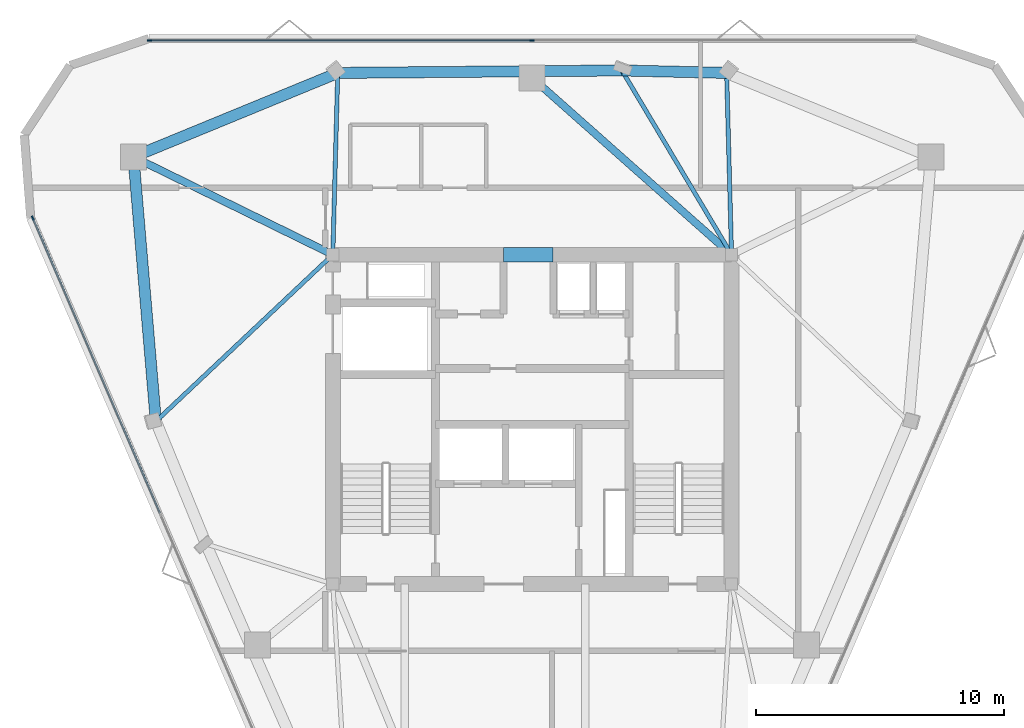
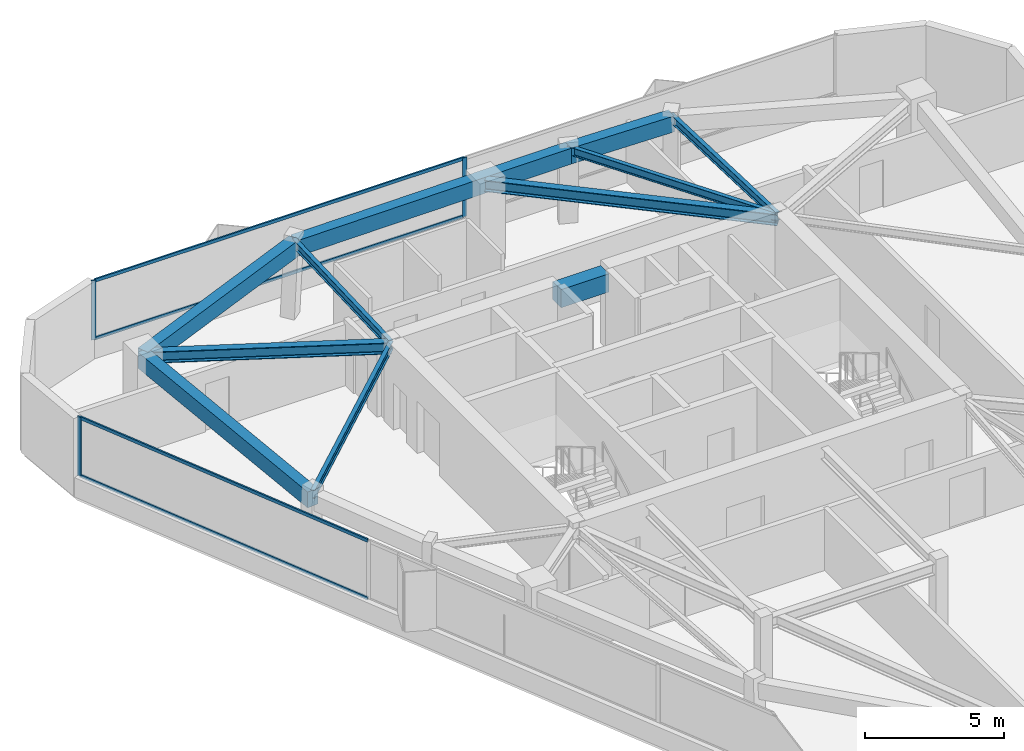
# One storey, part 4 of 9: 11 beams, 7 members, 2 elements without a shape of their own.
"""IFC4 building model written with IfcOpenShell, lengths in metres."""

from ifc_helpers import new_model, si_unit, direction, frame, origin, origin_2d, place, context, subcontext, project, spatial, rectangle, i_section, extrude, material, layer, layer_set, material_profile, profile_set, type_object, element, aggregate, save


model = new_model("IFC4")

# Units and contexts
model_context = context("Model", 3, precision=1e-05, world=origin(), true_north=direction((0.0, 1.0)))
body_context = subcontext(model_context, "Body", "Model", "MODEL_VIEW")
ifc_project = project(units=[si_unit("LENGTHUNIT", "METRE"), si_unit("AREAUNIT", "SQUARE_METRE"), si_unit("VOLUMEUNIT", "CUBIC_METRE"), si_unit("PLANEANGLEUNIT", "RADIAN"), si_unit("MASSUNIT", "GRAM", prefix="KILO")], contexts=[model_context])

# Site, building, storey
site_placement = place(None, origin())
site = spatial("IfcSite", under=ifc_project, at=site_placement, CompositionType="ELEMENT")
building_placement = place(site_placement, origin())
building = spatial("IfcBuilding", under=site, at=building_placement, Name="Talyreon Biosciences Tower", CompositionType="ELEMENT")
storey_placement = place(building_placement, frame((0.0, 0.0, 309.35009765625)))
storey = spatial("IfcBuildingStorey", under=building, at=storey_placement, Name="L82", CompositionType="ELEMENT", Elevation=309.35009765625)

# Curtain wall, member
ifc_material_1 = material(Name="Thermally broken aluminium and low-E glazing", Category="aluminium")
ifc_layer = layer(ifc_material_1, 0.175048828125)
ifc_layer_set = layer_set([ifc_layer], Name="Thermally broken aluminium and low-E glazing")
curtain_wall_type = type_object("IfcCurtainWallType", Name="CurtainWall_Zone5CompLab", PredefinedType="NOTDEFINED", material=ifc_layer_set)
curtain_wall_1_placement = place(storey_placement, origin())
curtain_wall_1 = element("IfcCurtainWall", 1, at=curtain_wall_1_placement, inside=storey, type_object=curtain_wall_type, Name="L82 Unitised Curtain Wall FCW-L82-00", PredefinedType="NOTDEFINED")
ifc_material_2 = material(Name="Anodised thermally broken aluminium", Category="aluminium")
ifc_material_profile_1 = material_profile(ifc_material_2, rectangle(XDim=0.06494140625, YDim=0.179931640625, at=origin_2d()), Name="ALUM MULLION 65x180")
ifc_profile_set_1 = profile_set([ifc_material_profile_1], Name="Anodised thermally broken aluminium")
member_type_1 = type_object("IfcMemberType", Name="CWMullion_65x180", PredefinedType="MULLION", material=ifc_profile_set_1)
member_1_placement = place(storey_placement, frame((45.833984375, 76.12744140625, 0.809814453125), z_axis=(0.0, 0.0, 1.0), x_axis=(-0.918363311246, -0.395738333444, 0.0)))
member_1 = element("IfcMember", 2, at=member_1_placement, type_object=member_type_1, Name="CW6 mullion 4", PredefinedType="MULLION", context=body_context, shape_type="SweptSolid", body=[
    extrude(rectangle(XDim=0.06494140625, YDim=0.179931640625, at=origin_2d()), origin(), (0.0, 0.0, 1.0), 2.60498046875),
])

# Curtain wall, members
curtain_wall_2_placement = place(storey_placement, origin())
curtain_wall_2 = element("IfcCurtainWall", 3, at=curtain_wall_2_placement, inside=storey, type_object=curtain_wall_type, Name="L82 Unitised Curtain Wall FCW-L82-04", PredefinedType="NOTDEFINED")
member_2_placement = place(storey_placement, frame((50.5556640625, 83.303466796875, 0.809814453125), z_axis=(0.0, 0.0, 1.0), x_axis=(0.0, 1.0, 0.0)))
member_2 = element("IfcMember", 4, at=member_2_placement, type_object=member_type_1, Name="CW6 mullion 1", PredefinedType="MULLION", context=body_context, shape_type="SweptSolid", body=[
    extrude(rectangle(XDim=0.06494140625, YDim=0.179931640625, at=origin_2d()), origin(), (0.0, 0.0, 1.0), 2.60498046875),
])
member_3_placement = place(storey_placement, frame((66.0, 83.303466796875, 0.809814453125), z_axis=(0.0, 0.0, 1.0), x_axis=(0.0, 1.0, 0.0)))
member_3 = element("IfcMember", 5, at=member_3_placement, type_object=member_type_1, Name="CW6 mullion 2", PredefinedType="MULLION", context=body_context, shape_type="SweptSolid", body=[
    extrude(rectangle(XDim=0.06494140625, YDim=0.179931640625, at=origin_2d()), origin(), (0.0, 0.0, 1.0), 2.60498046875),
])

# Member
ifc_material_profile_2 = material_profile(ifc_material_2, rectangle(XDim=0.06494140625, YDim=0.139892578125, at=origin_2d()), Name="ALUM TRANSOM 65x140")
ifc_profile_set_2 = profile_set([ifc_material_profile_2], Name="Anodised thermally broken aluminium")
member_type_2 = type_object("IfcMemberType", Name="CWTransom_65x140", PredefinedType="USERDEFINED", material=ifc_profile_set_2)
member_4_placement = place(storey_placement, frame((50.96728515625, 64.215087890625, 0.84228515625), z_axis=(-0.395735791356, 0.918364406671, 0.0), x_axis=(-0.918364406671, -0.395735791356, 0.0)))
member_4 = element("IfcMember", 6, at=member_4_placement, type_object=member_type_2, Name="CW6 transom 3.1", ObjectType="TRANSOM", PredefinedType="USERDEFINED", context=body_context, shape_type="SweptSolid", body=[
    extrude(rectangle(XDim=0.06494140625, YDim=0.139892578125, at=origin_2d()), origin(), (0.0, 0.0, 1.0), 12.938720703125),
])

member_5_placement = place(storey_placement, frame((50.96728515625, 64.215087890625, 3.38232421875), z_axis=(-0.395735791356, 0.918364406671, 0.0), x_axis=(-0.918364406671, -0.395735791356, 0.0)))
member_5 = element("IfcMember", 7, at=member_5_placement, type_object=member_type_2, Name="CW6 transom 3.2", ObjectType="TRANSOM", PredefinedType="USERDEFINED", context=body_context, shape_type="SweptSolid", body=[
    extrude(rectangle(XDim=0.06494140625, YDim=0.139892578125, at=origin_2d()), origin(), (0.0, 0.0, 1.0), 12.938720703125),
])

aggregate(curtain_wall_1, [member_1, member_4, member_5])

member_6_placement = place(storey_placement, frame((50.588134765625, 83.303466796875, 0.84228515625), z_axis=(1.0, 0.0, 0.0), x_axis=(0.0, 1.0, 0.0)))
member_6 = element("IfcMember", 8, at=member_6_placement, type_object=member_type_2, Name="CW6 transom 1.1", ObjectType="TRANSOM", PredefinedType="USERDEFINED", context=body_context, shape_type="SweptSolid", body=[
    extrude(rectangle(XDim=0.06494140625, YDim=0.139892578125, at=origin_2d()), origin(), (0.0, 0.0, 1.0), 15.37939453125),
])

member_7_placement = place(storey_placement, frame((50.588134765625, 83.303466796875, 3.38232421875), z_axis=(1.0, 0.0, 0.0), x_axis=(0.0, 1.0, 0.0)))
member_7 = element("IfcMember", 9, at=member_7_placement, type_object=member_type_2, Name="CW6 transom 1.2", ObjectType="TRANSOM", PredefinedType="USERDEFINED", context=body_context, shape_type="SweptSolid", body=[
    extrude(rectangle(XDim=0.06494140625, YDim=0.139892578125, at=origin_2d()), origin(), (0.0, 0.0, 1.0), 15.37939453125),
])

aggregate(curtain_wall_2, [member_2, member_3, member_6, member_7])

# Beams
ifc_material_3 = material(Name="Concrete C50/60", Category="concrete")
ifc_material_profile_3 = material_profile(ifc_material_3, rectangle(XDim=0.60009765625, YDim=0.800048828125, at=origin_2d()), Name="RCB 600x800")
ifc_profile_set_3 = profile_set([ifc_material_profile_3], Name="Concrete C50/60")
beam_type_1 = type_object("IfcBeamType", Name="CoreCouplingLintel_600x800", PredefinedType="LINTEL", material=ifc_profile_set_3)
beam_1_placement = place(storey_placement, frame((64.85009765625, 74.64990234375, 3.014892578125), z_axis=(1.0, 0.0, 0.0), x_axis=(0.0, 1.0, 0.0)))
element("IfcBeam", 10, at=beam_1_placement, inside=storey, type_object=beam_type_1, Name="L82 Core Coupling Lintel", PredefinedType="LINTEL", context=body_context, shape_type="SweptSolid", body=[
    extrude(rectangle(XDim=0.60009765625, YDim=0.800048828125, at=origin_2d()), origin(), (0.0, 0.0, 1.0), 2.0),
])
ifc_material_4 = material(Name="Precast concrete C45/55", Category="concrete")
ifc_material_profile_4 = material_profile(ifc_material_4, rectangle(XDim=0.449951171875, YDim=0.699951171875, at=origin_2d()), Name="RCB 450x700")
ifc_profile_set_4 = profile_set([ifc_material_profile_4], Name="Precast concrete C45/55")
beam_type_2 = type_object("IfcBeamType", Name="ExpressedSpandrel_450x700", PredefinedType="SPANDREL", material=ifc_profile_set_4)
beam_2_placement = place(storey_placement, frame((73.85205078125, 81.989013671875, 3.06494140625), z_axis=(-0.999721234182, 0.023610462223, 0.0), x_axis=(-0.023610462223, -0.999721234182, 0.0)))
element("IfcBeam", 11, at=beam_2_placement, inside=storey, type_object=beam_type_2, Name="L82 Expressed Horizontal Concrete Spandrel 06", PredefinedType="SPANDREL", context=body_context, shape_type="SweptSolid", body=[
    extrude(rectangle(XDim=0.449951171875, YDim=0.699951171875, at=origin_2d()), origin(), (0.0, 0.0, 1.0), 4.229248046875),
])
beam_3_placement = place(storey_placement, frame((69.6240234375, 82.0888671875, 3.06494140625), z_axis=(-0.999962148302, -0.008700687543, 0.0), x_axis=(0.008700687543, -0.999962148302, 0.0)))
element("IfcBeam", 12, at=beam_3_placement, inside=storey, type_object=beam_type_2, Name="L82 Expressed Horizontal Concrete Spandrel 07", PredefinedType="SPANDREL", context=body_context, shape_type="SweptSolid", body=[
    extrude(rectangle(XDim=0.449951171875, YDim=0.699951171875, at=origin_2d()), origin(), (0.0, 0.0, 1.0), 11.4765625),
])
beam_4_placement = place(storey_placement, frame((58.14794921875, 81.989013671875, 3.06494140625), z_axis=(-0.924945424945, -0.380099935377, 0.0), x_axis=(0.380099935377, -0.924945424945, 0.0)))
element("IfcBeam", 13, at=beam_4_placement, inside=storey, type_object=beam_type_2, Name="L82 Expressed Horizontal Concrete Spandrel 08", PredefinedType="SPANDREL", context=body_context, shape_type="SweptSolid", body=[
    extrude(rectangle(XDim=0.449951171875, YDim=0.699951171875, at=origin_2d()), origin(), (0.0, 0.0, 1.0), 8.919677734375),
])
beam_5_placement = place(storey_placement, frame((49.897705078125, 78.5986328125, 3.06494140625), z_axis=(0.084585687461, -0.996416208959, 0.0), x_axis=(0.996416208959, 0.084585687461, 0.0)))
element("IfcBeam", 14, at=beam_5_placement, inside=storey, type_object=beam_type_2, Name="L82 Expressed Horizontal Concrete Spandrel 09", PredefinedType="SPANDREL", context=body_context, shape_type="SweptSolid", body=[
    extrude(rectangle(XDim=0.449951171875, YDim=0.699951171875, at=origin_2d()), origin(), (0.0, 0.0, 1.0), 10.716796875),
])
ifc_material_5 = material(Name="Steel SM355", Category="steel")
ifc_material_profile_5 = material_profile(ifc_material_5, i_section(OverallWidth=0.300048828125, OverallDepth=0.5, WebThickness=0.014404296875, FlangeThickness=0.028076171875, FilletRadius=0.027099609375, at=origin_2d()), Name="HE500B")
ifc_profile_set_5 = profile_set([ifc_material_profile_5], Name="Steel SM355")
beam_type_3 = type_object("IfcBeamType", Name="SteelBeam_HE500B", PredefinedType="BEAM", material=ifc_profile_set_5)
beam_6_placement = place(storey_placement, frame((74.050048828125, 74.64990234375, 3.164794921875), z_axis=(-0.748178733955, 0.663497235908, 0.0), x_axis=(-0.663497235908, -0.748178733955, 0.0)))
element("IfcBeam", 15, at=beam_6_placement, inside=storey, type_object=beam_type_3, Name="L82 Radial Primary Girder 4", PredefinedType="BEAM", context=body_context, shape_type="SweptSolid", body=[
    extrude(i_section(OverallWidth=0.300048828125, OverallDepth=0.5, WebThickness=0.014404296875, FlangeThickness=0.028076171875, FilletRadius=0.027099609375, at=origin_2d()), origin(), (0.0, 0.0, 1.0), 10.759521484375),
])
beam_7_placement = place(storey_placement, frame((57.949951171875, 74.64990234375, 3.164794921875), z_axis=(-0.897852360314, 0.440296648952, 0.0), x_axis=(-0.440296648952, -0.897852360314, 0.0)))
element("IfcBeam", 16, at=beam_7_placement, inside=storey, type_object=beam_type_3, Name="L82 Radial Primary Girder 5", PredefinedType="BEAM", context=body_context, shape_type="SweptSolid", body=[
    extrude(i_section(OverallWidth=0.300048828125, OverallDepth=0.5, WebThickness=0.014404296875, FlangeThickness=0.028076171875, FilletRadius=0.027099609375, at=origin_2d()), origin(), (0.0, 0.0, 1.0), 8.96826171875),
])
ifc_material_profile_6 = material_profile(ifc_material_5, i_section(OverallWidth=0.169921875, OverallDepth=0.360107421875, WebThickness=0.008056640625, FlangeThickness=0.0126953125, FilletRadius=0.01806640625, at=origin_2d()), Name="IPE360")
ifc_profile_set_6 = profile_set([ifc_material_profile_6], Name="Steel SM355")
beam_type_4 = type_object("IfcBeamType", Name="SteelJoist_IPE360", PredefinedType="JOIST", material=ifc_profile_set_6)
beam_8_placement = place(storey_placement, frame((74.050048828125, 74.64990234375, 3.23486328125), z_axis=(-0.026968664469, 0.999636279422, 0.0), x_axis=(-0.999636279422, -0.026968664469, 0.0)))
element("IfcBeam", 17, at=beam_8_placement, inside=storey, type_object=beam_type_4, Name="L82 Radial Composite Floor Joist PC-N1", PredefinedType="JOIST", context=body_context, shape_type="SweptSolid", body=[
    extrude(i_section(OverallWidth=0.169921875, OverallDepth=0.360107421875, WebThickness=0.008056640625, FlangeThickness=0.0126953125, FilletRadius=0.01806640625, at=origin_2d()), origin(), (0.0, 0.0, 1.0), 7.341796875),
])
beam_9_placement = place(storey_placement, frame((74.050048828125, 74.64990234375, 3.23486328125), z_axis=(-0.511319227765, 0.859390858293, 0.0), x_axis=(-0.859390858293, -0.511319227765, 0.0)))
element("IfcBeam", 18, at=beam_9_placement, inside=storey, type_object=beam_type_4, Name="L82 Radial Composite Floor Joist PL-N", PredefinedType="JOIST", context=body_context, shape_type="SweptSolid", body=[
    extrude(i_section(OverallWidth=0.169921875, OverallDepth=0.360107421875, WebThickness=0.008056640625, FlangeThickness=0.0126953125, FilletRadius=0.01806640625, at=origin_2d()), origin(), (0.0, 0.0, 1.0), 8.656005859375),
])
beam_10_placement = place(storey_placement, frame((57.949951171875, 74.64990234375, 3.23486328125), z_axis=(0.026968664469, 0.999636279422, 0.0), x_axis=(-0.999636279422, 0.026968664469, 0.0)))
element("IfcBeam", 19, at=beam_10_placement, inside=storey, type_object=beam_type_4, Name="L82 Radial Composite Floor Joist PC-N2", PredefinedType="JOIST", context=body_context, shape_type="SweptSolid", body=[
    extrude(i_section(OverallWidth=0.169921875, OverallDepth=0.360107421875, WebThickness=0.008056640625, FlangeThickness=0.0126953125, FilletRadius=0.01806640625, at=origin_2d()), origin(), (0.0, 0.0, 1.0), 7.341796875),
])
beam_11_placement = place(storey_placement, frame((57.949951171875, 74.64990234375, 3.23486328125), z_axis=(-0.727980168432, -0.685598187257, 0.0), x_axis=(0.685598187257, -0.727980168432, 0.0)))
element("IfcBeam", 20, at=beam_11_placement, inside=storey, type_object=beam_type_4, Name="L82 Radial Composite Floor Joist PC-SW1", PredefinedType="JOIST", context=body_context, shape_type="SweptSolid", body=[
    extrude(i_section(OverallWidth=0.169921875, OverallDepth=0.360107421875, WebThickness=0.008056640625, FlangeThickness=0.0126953125, FilletRadius=0.01806640625, at=origin_2d()), origin(), (0.0, 0.0, 1.0), 9.81591796875),
])

save(model, "model.ifc")
